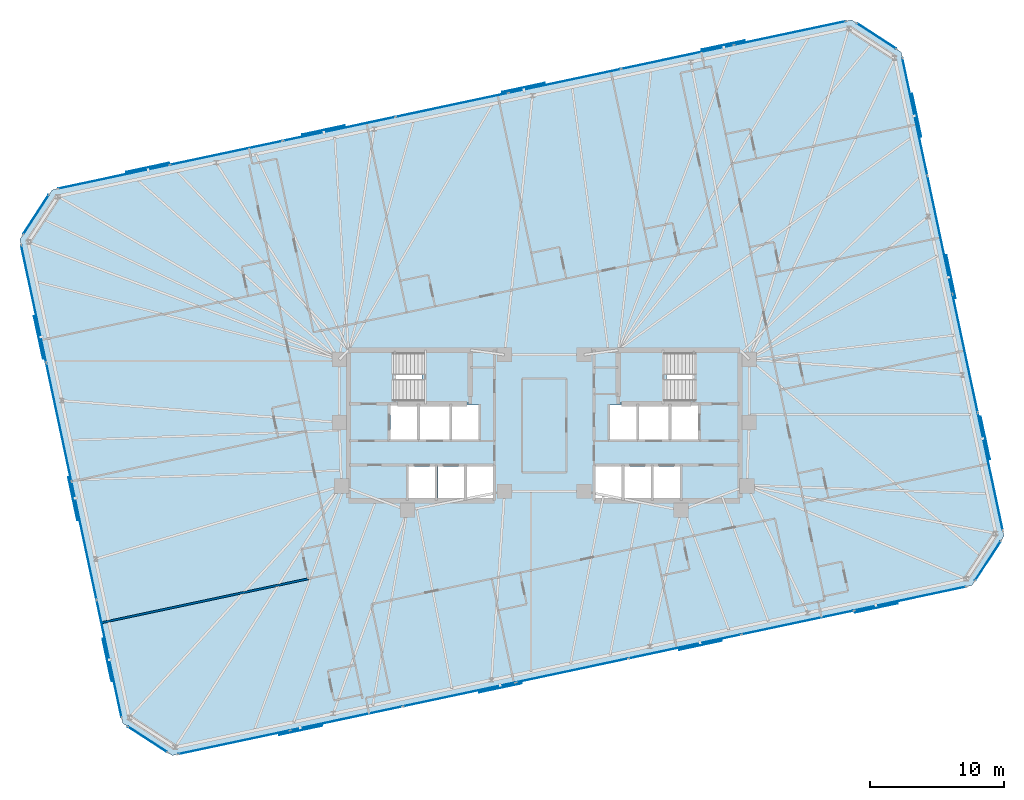
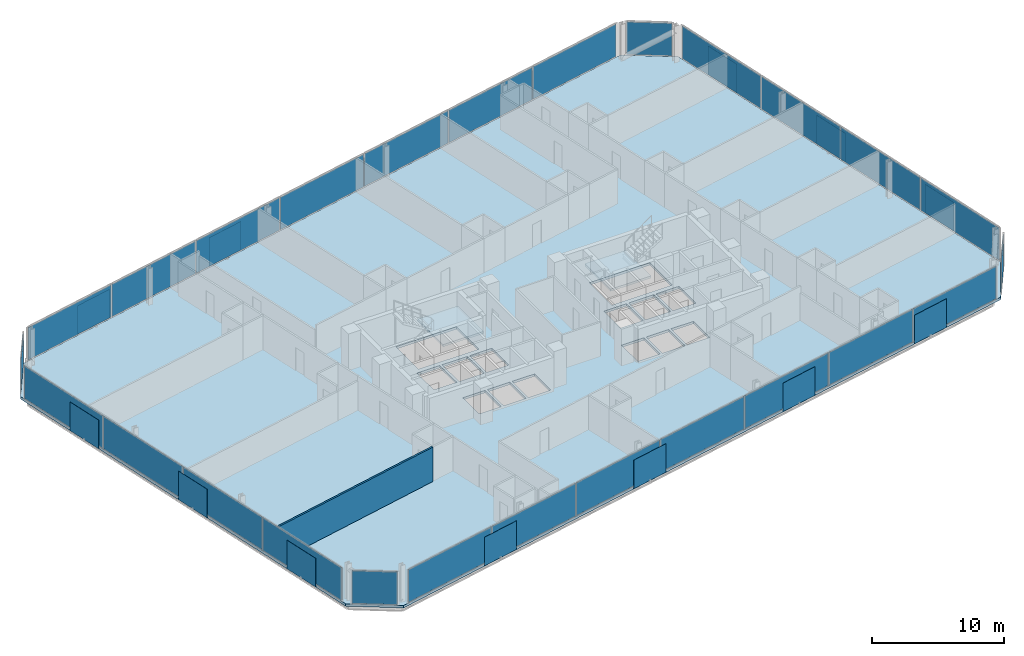
# One storey, part 13 of 19: 40 plates, 3 slabs, 1 wall, 10 elements without a shape of their own.
"""IFC4 building model written with IfcOpenShell, lengths in metres."""

from ifc_helpers import new_model, si_unit, direction, frame, frame_2d, origin, origin_2d, place, context, subcontext, project, spatial, polyline, rectangle, outline, extrude, material, layer, layer_set, type_object, element, aggregate, save


model = new_model("IFC4")

# Units and contexts
model_context = context("Model", 3, precision=1e-05, world=origin(), true_north=direction((0.0, 1.0)))
body_context = subcontext(model_context, "Body", "Model", "MODEL_VIEW")
ifc_project = project(units=[si_unit("LENGTHUNIT", "METRE"), si_unit("AREAUNIT", "SQUARE_METRE"), si_unit("VOLUMEUNIT", "CUBIC_METRE"), si_unit("PLANEANGLEUNIT", "RADIAN"), si_unit("MASSUNIT", "GRAM", prefix="KILO")], contexts=[model_context])

# Site, building, storey
site_placement = place(None, origin())
site = spatial("IfcSite", under=ifc_project, at=site_placement, CompositionType="ELEMENT")
building_placement = place(site_placement, origin())
building = spatial("IfcBuilding", under=site, at=building_placement, Name="Menara Jurai Vektor", CompositionType="ELEMENT")
storey_placement = place(building_placement, frame((0.0, 0.0, 195.60009765625)))
storey = spatial("IfcBuildingStorey", under=building, at=storey_placement, Name="L51", CompositionType="ELEMENT", Elevation=195.60009765625)

# Curtain wall, plates
ifc_material_1 = material(Name="Anodised Pale Aluminium & Low-E Double Glazing", Category="aluminium")
curtain_wall_type = type_object("IfcCurtainWallType", Name="CW-BLK3", PredefinedType="NOTDEFINED", material=ifc_material_1)
curtain_wall_1_placement = place(storey_placement, origin())
curtain_wall_1 = element("IfcCurtainWall", 1, at=curtain_wall_1_placement, inside=storey, type_object=curtain_wall_type, Name="Unitised Curtain Wall L51 F01", PredefinedType="NOTDEFINED")
ifc_material_2 = material(Name="Low-E Solar-Control Double Glazed Unit", Category="glass")
ifc_layer_1 = layer(ifc_material_2, 0.031982421875)
ifc_layer_set_1 = layer_set([ifc_layer_1], Name="Low-E Solar-Control Double Glazed Unit")
plate_type_1 = type_object("IfcPlateType", Name="CW-BLK3-PNL", PredefinedType="CURTAIN_PANEL", material=ifc_layer_set_1)
plate_1_placement = place(storey_placement, frame((-23.078369140625, -23.57568359375, 0.0849609375), z_axis=(0.0, 0.0, 1.0), x_axis=(0.978147674419, 0.207911344156, 0.0)))
plate_1 = element("IfcPlate", 2, at=plate_1_placement, type_object=plate_type_1, Name="CW-03 panel 1.1", PredefinedType="CURTAIN_PANEL", context=body_context, shape_type="SweptSolid", body=[
    extrude(rectangle(XDim=8.44970703125, YDim=0.031982421875, at=origin_2d()), origin(), (0.0, 0.0, 1.0), 3.0048828125),
])
plate_2_placement = place(storey_placement, frame((-14.709228515625, -21.796875, 0.0849609375), z_axis=(0.0, 0.0, 1.0), x_axis=(0.978147674419, 0.207911344156, 0.0)))
plate_2 = element("IfcPlate", 3, at=plate_2_placement, type_object=plate_type_1, Name="CW-03 panel 2.1", PredefinedType="CURTAIN_PANEL", context=body_context, shape_type="SweptSolid", body=[
    extrude(rectangle(XDim=8.4921875, YDim=0.031982421875, at=origin_2d()), origin(), (0.0, 0.0, 1.0), 3.0048828125),
])
plate_3_placement = place(storey_placement, frame((-6.319580078125, -20.013427734375, 0.0849609375), z_axis=(0.0, 0.0, 1.0), x_axis=(0.978147674419, 0.207911344156, 0.0)))
plate_3 = element("IfcPlate", 4, at=plate_3_placement, type_object=plate_type_1, Name="CW-03 panel 3.1", PredefinedType="CURTAIN_PANEL", context=body_context, shape_type="SweptSolid", body=[
    extrude(rectangle(XDim=8.4921875, YDim=0.031982421875, at=origin_2d()), origin(), (0.0, 0.0, 1.0), 3.0048828125),
])
plate_4_placement = place(storey_placement, frame((2.070068359375, -18.230224609375, 0.0849609375), z_axis=(0.0, 0.0, 1.0), x_axis=(0.978147674419, 0.207911344156, 0.0)))
plate_4 = element("IfcPlate", 5, at=plate_4_placement, type_object=plate_type_1, Name="CW-03 panel 4.1", PredefinedType="CURTAIN_PANEL", context=body_context, shape_type="SweptSolid", body=[
    extrude(rectangle(XDim=8.4921875, YDim=0.031982421875, at=origin_2d()), origin(), (0.0, 0.0, 1.0), 3.0048828125),
])
plate_5_placement = place(storey_placement, frame((10.459716796875, -16.447021484375, 0.0849609375), z_axis=(0.0, 0.0, 1.0), x_axis=(0.978147674419, 0.207911344156, 0.0)))
plate_5 = element("IfcPlate", 6, at=plate_5_placement, type_object=plate_type_1, Name="CW-03 panel 5.1", PredefinedType="CURTAIN_PANEL", context=body_context, shape_type="SweptSolid", body=[
    extrude(rectangle(XDim=8.4921875, YDim=0.031982421875, at=origin_2d()), origin(), (0.0, 0.0, 1.0), 3.0048828125),
])
plate_6_placement = place(storey_placement, frame((18.849609375, -14.66357421875, 0.0849609375), z_axis=(0.0, 0.0, 1.0), x_axis=(0.978147674419, 0.207911344156, 0.0)))
plate_6 = element("IfcPlate", 7, at=plate_6_placement, type_object=plate_type_1, Name="CW-03 panel 6.1", PredefinedType="CURTAIN_PANEL", context=body_context, shape_type="SweptSolid", body=[
    extrude(rectangle(XDim=8.4921875, YDim=0.031982421875, at=origin_2d()), origin(), (0.0, 0.0, 1.0), 3.0048828125),
])
plate_7_placement = place(storey_placement, frame((27.218505859375, -12.884765625, 0.0849609375), z_axis=(0.0, 0.0, 1.0), x_axis=(0.978147674419, 0.207911344156, 0.0)))
plate_7 = element("IfcPlate", 8, at=plate_7_placement, type_object=plate_type_1, Name="CW-03 panel 7.1", PredefinedType="CURTAIN_PANEL", context=body_context, shape_type="SweptSolid", body=[
    extrude(rectangle(XDim=8.44970703125, YDim=0.031982421875, at=origin_2d()), origin(), (0.0, 0.0, 1.0), 3.0048828125),
])
aggregate(curtain_wall_1, [plate_1, plate_2, plate_3, plate_4, plate_5, plate_6, plate_7])

curtain_wall_2_placement = place(storey_placement, origin())
curtain_wall_2 = element("IfcCurtainWall", 9, at=curtain_wall_2_placement, inside=storey, type_object=curtain_wall_type, Name="Unitised Curtain Wall L51 F03", PredefinedType="NOTDEFINED")
plate_8_placement = place(storey_placement, frame((33.17333984375, -3.433837890625, 0.0849609375), z_axis=(0.0, 0.0, 1.0), x_axis=(-0.20791035839, 0.978147883949, 0.0)))
plate_8 = element("IfcPlate", 10, at=plate_8_placement, type_object=plate_type_1, Name="CW-03 panel 1.1", PredefinedType="CURTAIN_PANEL", context=body_context, shape_type="SweptSolid", body=[
    extrude(rectangle(XDim=8.882568359375, YDim=0.031982421875, at=origin_2d()), origin(), (0.0, 0.0, 1.0), 3.0048828125),
])
plate_9_placement = place(storey_placement, frame((31.3046875, 5.3583984375, 0.0849609375), z_axis=(0.0, 0.0, 1.0), x_axis=(-0.20791035839, 0.978147883949, 0.0)))
plate_9 = element("IfcPlate", 11, at=plate_9_placement, type_object=plate_type_1, Name="CW-03 panel 2.1", PredefinedType="CURTAIN_PANEL", context=body_context, shape_type="SweptSolid", body=[
    extrude(rectangle(XDim=8.925048828125, YDim=0.031982421875, at=origin_2d()), origin(), (0.0, 0.0, 1.0), 3.0048828125),
])
plate_10_placement = place(storey_placement, frame((29.431396484375, 14.171630859375, 0.0849609375), z_axis=(0.0, 0.0, 1.0), x_axis=(-0.20791035839, 0.978147883949, 0.0)))
plate_10 = element("IfcPlate", 12, at=plate_10_placement, type_object=plate_type_1, Name="CW-03 panel 3.1", PredefinedType="CURTAIN_PANEL", context=body_context, shape_type="SweptSolid", body=[
    extrude(rectangle(XDim=8.925048828125, YDim=0.031982421875, at=origin_2d()), origin(), (0.0, 0.0, 1.0), 3.0048828125),
])
plate_11_placement = place(storey_placement, frame((27.5625, 22.9638671875, 0.0849609375), z_axis=(0.0, 0.0, 1.0), x_axis=(-0.20791035839, 0.978147883949, 0.0)))
plate_11 = element("IfcPlate", 13, at=plate_11_placement, type_object=plate_type_1, Name="CW-03 panel 4.1", PredefinedType="CURTAIN_PANEL", context=body_context, shape_type="SweptSolid", body=[
    extrude(rectangle(XDim=8.882568359375, YDim=0.031982421875, at=origin_2d()), origin(), (0.0, 0.0, 1.0), 3.0048828125),
])
aggregate(curtain_wall_2, [plate_8, plate_9, plate_10, plate_11])

curtain_wall_3_placement = place(storey_placement, origin())
curtain_wall_3 = element("IfcCurtainWall", 14, at=curtain_wall_3_placement, inside=storey, type_object=curtain_wall_type, Name="Unitised Curtain Wall L51 F05", PredefinedType="NOTDEFINED")
plate_12_placement = place(storey_placement, frame((18.2783203125, 29.175537109375, 0.0849609375), z_axis=(0.0, 0.0, 1.0), x_axis=(-0.978147674419, -0.207911344156, 0.0)))
plate_12 = element("IfcPlate", 15, at=plate_12_placement, type_object=plate_type_1, Name="CW-03 panel 1.1", PredefinedType="CURTAIN_PANEL", context=body_context, shape_type="SweptSolid", body=[
    extrude(rectangle(XDim=8.44970703125, YDim=0.031982421875, at=origin_2d()), origin(), (0.0, 0.0, 1.0), 3.0048828125),
])
plate_13_placement = place(storey_placement, frame((9.909423828125, 27.396728515625, 0.0849609375), z_axis=(0.0, 0.0, 1.0), x_axis=(-0.978147674419, -0.207911344156, 0.0)))
plate_13 = element("IfcPlate", 16, at=plate_13_placement, type_object=plate_type_1, Name="CW-03 panel 2.1", PredefinedType="CURTAIN_PANEL", context=body_context, shape_type="SweptSolid", body=[
    extrude(rectangle(XDim=8.4921875, YDim=0.031982421875, at=origin_2d()), origin(), (0.0, 0.0, 1.0), 3.0048828125),
])
plate_14_placement = place(storey_placement, frame((1.51953125, 25.613525390625, 0.0849609375), z_axis=(0.0, 0.0, 1.0), x_axis=(-0.978147674419, -0.207911344156, 0.0)))
plate_14 = element("IfcPlate", 17, at=plate_14_placement, type_object=plate_type_1, Name="CW-03 panel 3.1", PredefinedType="CURTAIN_PANEL", context=body_context, shape_type="SweptSolid", body=[
    extrude(rectangle(XDim=8.4921875, YDim=0.031982421875, at=origin_2d()), origin(), (0.0, 0.0, 1.0), 3.0048828125),
])
plate_15_placement = place(storey_placement, frame((-6.8701171875, 23.830078125, 0.0849609375), z_axis=(0.0, 0.0, 1.0), x_axis=(-0.978147674419, -0.207911344156, 0.0)))
plate_15 = element("IfcPlate", 18, at=plate_15_placement, type_object=plate_type_1, Name="CW-03 panel 4.1", PredefinedType="CURTAIN_PANEL", context=body_context, shape_type="SweptSolid", body=[
    extrude(rectangle(XDim=8.4921875, YDim=0.031982421875, at=origin_2d()), origin(), (0.0, 0.0, 1.0), 3.0048828125),
])
plate_16_placement = place(storey_placement, frame((-15.259765625, 22.046875, 0.0849609375), z_axis=(0.0, 0.0, 1.0), x_axis=(-0.978147674419, -0.207911344156, 0.0)))
plate_16 = element("IfcPlate", 19, at=plate_16_placement, type_object=plate_type_1, Name="CW-03 panel 5.1", PredefinedType="CURTAIN_PANEL", context=body_context, shape_type="SweptSolid", body=[
    extrude(rectangle(XDim=8.4921875, YDim=0.031982421875, at=origin_2d()), origin(), (0.0, 0.0, 1.0), 3.0048828125),
])
plate_17_placement = place(storey_placement, frame((-23.6494140625, 20.263671875, 0.0849609375), z_axis=(0.0, 0.0, 1.0), x_axis=(-0.978147674419, -0.207911344156, 0.0)))
plate_17 = element("IfcPlate", 20, at=plate_17_placement, type_object=plate_type_1, Name="CW-03 panel 6.1", PredefinedType="CURTAIN_PANEL", context=body_context, shape_type="SweptSolid", body=[
    extrude(rectangle(XDim=8.4921875, YDim=0.031982421875, at=origin_2d()), origin(), (0.0, 0.0, 1.0), 3.0048828125),
])
plate_18_placement = place(storey_placement, frame((-32.0185546875, 18.48486328125, 0.0849609375), z_axis=(0.0, 0.0, 1.0), x_axis=(-0.978147674419, -0.207911344156, 0.0)))
plate_18 = element("IfcPlate", 21, at=plate_18_placement, type_object=plate_type_1, Name="CW-03 panel 7.1", PredefinedType="CURTAIN_PANEL", context=body_context, shape_type="SweptSolid", body=[
    extrude(rectangle(XDim=8.44970703125, YDim=0.031982421875, at=origin_2d()), origin(), (0.0, 0.0, 1.0), 3.0048828125),
])
aggregate(curtain_wall_3, [plate_12, plate_13, plate_14, plate_15, plate_16, plate_17, plate_18])

curtain_wall_4_placement = place(storey_placement, origin())
curtain_wall_4 = element("IfcCurtainWall", 22, at=curtain_wall_4_placement, inside=storey, type_object=curtain_wall_type, Name="Unitised Curtain Wall L51 F07", PredefinedType="NOTDEFINED")
plate_19_placement = place(storey_placement, frame((-37.973388671875, 9.033935546875, 0.0849609375), z_axis=(0.0, 0.0, 1.0), x_axis=(0.20791035839, -0.978147883949, 0.0)))
plate_19 = element("IfcPlate", 23, at=plate_19_placement, type_object=plate_type_1, Name="CW-03 panel 1.1", PredefinedType="CURTAIN_PANEL", context=body_context, shape_type="SweptSolid", body=[
    extrude(rectangle(XDim=8.882568359375, YDim=0.031982421875, at=origin_2d()), origin(), (0.0, 0.0, 1.0), 3.0048828125),
])
plate_20_placement = place(storey_placement, frame((-36.1044921875, 0.241455078125, 0.0849609375), z_axis=(0.0, 0.0, 1.0), x_axis=(0.20791035839, -0.978147883949, 0.0)))
plate_20 = element("IfcPlate", 24, at=plate_20_placement, type_object=plate_type_1, Name="CW-03 panel 2.1", PredefinedType="CURTAIN_PANEL", context=body_context, shape_type="SweptSolid", body=[
    extrude(rectangle(XDim=8.925048828125, YDim=0.031982421875, at=origin_2d()), origin(), (0.0, 0.0, 1.0), 3.0048828125),
])
plate_21_placement = place(storey_placement, frame((-34.231201171875, -8.571533203125, 0.0849609375), z_axis=(0.0, 0.0, 1.0), x_axis=(0.20791035839, -0.978147883949, 0.0)))
plate_21 = element("IfcPlate", 25, at=plate_21_placement, type_object=plate_type_1, Name="CW-03 panel 3.1", PredefinedType="CURTAIN_PANEL", context=body_context, shape_type="SweptSolid", body=[
    extrude(rectangle(XDim=8.925048828125, YDim=0.031982421875, at=origin_2d()), origin(), (0.0, 0.0, 1.0), 3.0048828125),
])
plate_22_placement = place(storey_placement, frame((-32.362548828125, -17.364013671875, 0.0849609375), z_axis=(0.0, 0.0, 1.0), x_axis=(0.20791035839, -0.978147883949, 0.0)))
plate_22 = element("IfcPlate", 26, at=plate_22_placement, type_object=plate_type_1, Name="CW-03 panel 4.1", PredefinedType="CURTAIN_PANEL", context=body_context, shape_type="SweptSolid", body=[
    extrude(rectangle(XDim=8.882568359375, YDim=0.031982421875, at=origin_2d()), origin(), (0.0, 0.0, 1.0), 3.0048828125),
])
aggregate(curtain_wall_4, [plate_19, plate_20, plate_21, plate_22])

# Curtain wall, plate
curtain_wall_5_placement = place(storey_placement, origin())
curtain_wall_5 = element("IfcCurtainWall", 27, at=curtain_wall_5_placement, inside=storey, type_object=curtain_wall_type, Name="Unitised Curtain Wall L51 F02", PredefinedType="NOTDEFINED")
ifc_material_3 = material(Name="Insulated Pale Aluminium Spandrel Panel", Category="aluminium")
ifc_layer_2 = layer(ifc_material_3, 0.06005859375)
ifc_layer_set_2 = layer_set([ifc_layer_2], Name="Insulated Pale Aluminium Spandrel Panel")
plate_type_2 = type_object("IfcPlateType", Name="CW-PNL-SP", PredefinedType="CURTAIN_PANEL", material=ifc_layer_set_2)
plate_23_placement = place(storey_placement, frame((32.999755859375, -10.0712890625, 0.0849609375), z_axis=(0.0, 0.0, 1.0), x_axis=(0.544617794346, 0.838684361415, 0.0)))
plate_23 = element("IfcPlate", 28, at=plate_23_placement, type_object=plate_type_2, Name="CW-03 panel 1.1", PredefinedType="CURTAIN_PANEL", context=body_context, shape_type="SweptSolid", body=[
    extrude(rectangle(XDim=3.4541015625, YDim=0.06005859375, at=origin_2d()), origin(), (0.0, 0.0, 1.0), 3.0048828125),
])
aggregate(curtain_wall_5, [plate_23])

curtain_wall_6_placement = place(storey_placement, origin())
curtain_wall_6 = element("IfcCurtainWall", 29, at=curtain_wall_6_placement, inside=storey, type_object=curtain_wall_type, Name="Unitised Curtain Wall L51 F04", PredefinedType="NOTDEFINED")
plate_24_placement = place(storey_placement, frame((24.7041015625, 28.956787109375, 0.0849609375), z_axis=(0.0, 0.0, 1.0), x_axis=(-0.838684361415, 0.544617794346, 0.0)))
plate_24 = element("IfcPlate", 30, at=plate_24_placement, type_object=plate_type_2, Name="CW-03 panel 1.1", PredefinedType="CURTAIN_PANEL", context=body_context, shape_type="SweptSolid", body=[
    extrude(rectangle(XDim=3.4541015625, YDim=0.06005859375, at=origin_2d()), origin(), (0.0, 0.0, 1.0), 3.0048828125),
])
aggregate(curtain_wall_6, [plate_24])

curtain_wall_7_placement = place(storey_placement, origin())
curtain_wall_7 = element("IfcCurtainWall", 31, at=curtain_wall_7_placement, inside=storey, type_object=curtain_wall_type, Name="Unitised Curtain Wall L51 F06", PredefinedType="NOTDEFINED")
plate_25_placement = place(storey_placement, frame((-37.799560546875, 15.67138671875, 0.0849609375), z_axis=(0.0, 0.0, 1.0), x_axis=(-0.544617794346, -0.838684361415, 0.0)))
plate_25 = element("IfcPlate", 32, at=plate_25_placement, type_object=plate_type_2, Name="CW-03 panel 1.1", PredefinedType="CURTAIN_PANEL", context=body_context, shape_type="SweptSolid", body=[
    extrude(rectangle(XDim=3.4541015625, YDim=0.06005859375, at=origin_2d()), origin(), (0.0, 0.0, 1.0), 3.0048828125),
])
aggregate(curtain_wall_7, [plate_25])

curtain_wall_8_placement = place(storey_placement, origin())
curtain_wall_8 = element("IfcCurtainWall", 33, at=curtain_wall_8_placement, inside=storey, type_object=curtain_wall_type, Name="Unitised Curtain Wall L51 F08", PredefinedType="NOTDEFINED")
plate_26_placement = place(storey_placement, frame((-29.50390625, -23.35693359375, 0.0849609375), z_axis=(0.0, 0.0, 1.0), x_axis=(0.838684361415, -0.544617794346, 0.0)))
plate_26 = element("IfcPlate", 34, at=plate_26_placement, type_object=plate_type_2, Name="CW-03 panel 1.1", PredefinedType="CURTAIN_PANEL", context=body_context, shape_type="SweptSolid", body=[
    extrude(rectangle(XDim=3.4541015625, YDim=0.06005859375, at=origin_2d()), origin(), (0.0, 0.0, 1.0), 3.0048828125),
])
aggregate(curtain_wall_8, [plate_26])

# Plates
ifc_material_4 = material(Name="Anodised Pale Aluminium Perforated Screen", Category="aluminium")
ifc_layer_3 = layer(ifc_material_4, 0.02294921875)
ifc_layer_set_3 = layer_set([ifc_layer_3], Name="Anodised Pale Aluminium Perforated Screen")
plate_type_3 = type_object("IfcPlateType", Name="ENV-PLT-SCREEN-MID", PredefinedType="USERDEFINED", material=ifc_layer_set_3)
for number, where, z_axis, x_axis, name in (
    (35, (-18.116943359375, -22.6845703125, -0.050048828125), (0.0, 0.0, 1.0), (0.978147600734, 0.207911690818, 0.0), "Perforated Pale-Metal Solar Screen L51-S01"),
    (36, (-3.2490234375, -19.5244140625, -0.050048828125), (0.0, 0.0, 1.0), (0.978147600734, 0.207911690818, 0.0), "Perforated Pale-Metal Solar Screen L51-S02"),
    (37, (11.618896484375, -16.364013671875, -0.050048828125), (0.0, 0.0, 1.0), (0.978147600734, 0.207911690818, 0.0), "Perforated Pale-Metal Solar Screen L51-S03"),
    (38, (24.702392578125, -13.5830078125, -0.050048828125), (0.0, 0.0, 1.0), (0.978147600734, 0.207911690818, 0.0), "Perforated Pale-Metal Solar Screen L51-S04"),
    (39, (32.806884765625, -0.9404296875, -0.050048828125), (0.0, 0.0, 1.0), (-0.207911690818, 0.978147600734, 0.0), "Perforated Pale-Metal Solar Screen L51-S05"),
    (40, (30.256591796875, 11.05810546875, -0.050048828125), (0.0, 0.0, 1.0), (-0.207911690818, 0.978147600734, 0.0), "Perforated Pale-Metal Solar Screen L51-S06"),
    (41, (27.706298828125, 23.056884765625, -0.050048828125), (0.0, 0.0, 1.0), (-0.207911690818, 0.978147600734, 0.0), "Perforated Pale-Metal Solar Screen L51-S07"),
    (42, (13.31689453125, 28.28466796875, -0.050048828125), (0.0, 0.0, 1.0), (-0.978147600734, -0.207911690818, 0.0), "Perforated Pale-Metal Solar Screen L51-S08"),
    (43, (-1.55078125, 25.12451171875, -0.050048828125), (0.0, 0.0, 1.0), (-0.978147600734, -0.207911690818, 0.0), "Perforated Pale-Metal Solar Screen L51-S09"),
    (44, (-16.418701171875, 21.964111328125, -0.050048828125), (0.0, 0.0, 1.0), (-0.978147600734, -0.207911690818, 0.0), "Perforated Pale-Metal Solar Screen L51-S10"),
    (45, (-29.50244140625, 19.18310546875, -0.050048828125), (0.0, 0.0, 1.0), (-0.978147600734, -0.207911690818, 0.0), "Perforated Pale-Metal Solar Screen L51-S11"),
    (46, (-37.60693359375, 6.54052734375, -0.050048828125), (0.0, 0.0, 1.0), (0.207911690818, -0.978147600734, 0.0), "Perforated Pale-Metal Solar Screen L51-S12"),
    (47, (-35.056640625, -5.458251953125, -0.050048828125), (0.0, 0.0, 1.0), (0.207911690818, -0.978147600734, 0.0), "Perforated Pale-Metal Solar Screen L51-S13"),
    (48, (-32.50634765625, -17.456787109375, -0.050048828125), (0.0, 0.0, 1.0), (0.207911690818, -0.978147600734, 0.0), "Perforated Pale-Metal Solar Screen L51-S14"),
):
    element("IfcPlate", number, at=place(storey_placement, frame(where, z_axis=z_axis, x_axis=x_axis)), inside=storey, type_object=plate_type_3, Name=name, ObjectType="SCREEN", PredefinedType="USERDEFINED", context=body_context, shape_type="SweptSolid", body=[
        extrude(rectangle(XDim=3.25, YDim=0.02294921875, at=origin_2d()), origin(), (0.0, 0.0, 1.0), 2.64990234375),
    ])

# Stair, slab
ifc_material_5 = material(Name="Concrete C40/50", Category="concrete")
stair_type = type_object("IfcStairType", Name="STAIR-DOGLEG-1500", PredefinedType="HALF_TURN_STAIR", material=ifc_material_5)
stair_1_placement = place(storey_placement, origin())
stair_1 = element("IfcStair", 49, at=stair_1_placement, inside=storey, type_object=stair_type, Name="Protected Exit Stair ST1 L51", PredefinedType="HALF_TURN_STAIR")
ifc_layer_4 = layer(ifc_material_5, 0.199951171875)
ifc_layer_set_4 = layer_set([ifc_layer_4], Name="Concrete C40/50")
slab_type_1 = type_object("IfcSlabType", Name="STAIR-LANDING-200", PredefinedType="LANDING", material=ifc_layer_set_4)
slab_1_placement = place(storey_placement, frame((0.0, 0.0, 1.5)))
slab_1 = element("IfcSlab", 50, at=slab_1_placement, type_object=slab_type_1, Name="ST1 landing 1", PredefinedType="LANDING", context=body_context, shape_type="SweptSolid", body=[
    extrude(outline(polyline([(-9.080078125, 1.64990234375), (-5.550048828125, 1.64990234375), (-5.550048828125, 5.550048828125), (-9.080078125, 5.550048828125), (-9.080078125, 1.64990234375)])), origin(), (0.0, 0.0, 1.0), 0.199951171875),
])
aggregate(stair_1, [slab_1])

stair_2_placement = place(storey_placement, origin())
stair_2 = element("IfcStair", 51, at=stair_2_placement, inside=storey, type_object=stair_type, Name="Protected Exit Stair ST2 L51", PredefinedType="HALF_TURN_STAIR")
slab_2_placement = place(storey_placement, frame((0.0, 0.0, 1.5)))
slab_2 = element("IfcSlab", 52, at=slab_2_placement, type_object=slab_type_1, Name="ST2 landing 1", PredefinedType="LANDING", context=body_context, shape_type="SweptSolid", body=[
    extrude(outline(polyline([(5.550048828125, 1.64990234375), (9.080078125, 1.64990234375), (9.080078125, 5.550048828125), (5.550048828125, 5.550048828125), (5.550048828125, 1.64990234375)])), origin(), (0.0, 0.0, 1.0), 0.199951171875),
])
aggregate(stair_2, [slab_2])

# Slab
ifc_layer_5 = layer(ifc_material_5, 0.22509765625)
ifc_layer_set_5 = layer_set([ifc_layer_5], Name="Concrete C40/50")
slab_type_2 = type_object("IfcSlabType", Name="STR-SLAB-TYP200", PredefinedType="FLOOR", material=ifc_layer_set_5)
slab_3_placement = place(storey_placement, frame((0.0, 0.0, -0.22509765625)))
element("IfcSlab", 53, at=slab_3_placement, inside=storey, type_object=slab_type_2, Name="Composite Floor Slab L51", PredefinedType="FLOOR", context=body_context, shape_type="SweptSolid", body=[
    extrude(outline(polyline([(-27.66552734375, -24.55078125), (31.805908203125, -11.90966796875), (34.193603515625, -8.23291015625), (26.54248046875, 27.762939453125), (22.865478515625, 30.150634765625), (-36.605712890625, 17.509765625), (-38.993408203125, 13.8330078125), (-31.34228515625, -22.1630859375), (-27.66552734375, -24.55078125)]), holes=[polyline([(-11.10009765625, 1.89990234375), (-11.10009765625, 5.300048828125), (-5.800048828125, 5.300048828125), (-5.800048828125, 1.89990234375), (-11.10009765625, 1.89990234375)]), polyline([(5.800048828125, 1.89990234375), (5.800048828125, 5.300048828125), (11.10009765625, 5.300048828125), (11.10009765625, 1.89990234375), (5.800048828125, 1.89990234375)]), polyline([(-11.449951171875, -1.050048828125), (-11.449951171875, 1.5), (-9.449951171875, 1.5), (-9.449951171875, -1.050048828125), (-11.449951171875, -1.050048828125)]), polyline([(9.449951171875, -1.050048828125), (9.449951171875, 1.5), (11.449951171875, 1.5), (11.449951171875, -1.050048828125), (9.449951171875, -1.050048828125)]), polyline([(-5.760009765625, -5.5), (-5.760009765625, -3.050048828125), (-3.800048828125, -3.050048828125), (-3.800048828125, -5.5), (-5.760009765625, -5.5)]), polyline([(-6.85009765625, -1.050048828125), (-6.85009765625, 1.5), (-4.889892578125, 1.5), (-4.889892578125, -1.050048828125), (-6.85009765625, -1.050048828125)]), polyline([(3.800048828125, -5.5), (3.800048828125, -3.050048828125), (5.760009765625, -3.050048828125), (5.760009765625, -5.5), (3.800048828125, -5.5)]), polyline([(4.889892578125, -1.050048828125), (4.889892578125, 1.5), (6.85009765625, 1.5), (6.85009765625, -1.050048828125), (4.889892578125, -1.050048828125)]), polyline([(-10.080078125, -5.5), (-10.080078125, -3.050048828125), (-8.1201171875, -3.050048828125), (-8.1201171875, -5.5), (-10.080078125, -5.5)]), polyline([(-7.919921875, -5.5), (-7.919921875, -3.050048828125), (-5.9599609375, -3.050048828125), (-5.9599609375, -5.5), (-7.919921875, -5.5)]), polyline([(5.9599609375, -5.5), (5.9599609375, -3.050048828125), (7.919921875, -3.050048828125), (7.919921875, -5.5), (5.9599609375, -5.5)]), polyline([(8.1201171875, -5.5), (8.1201171875, -3.050048828125), (10.080078125, -3.050048828125), (10.080078125, -5.5), (8.1201171875, -5.5)]), polyline([(-9.25, -1.050048828125), (-9.25, 1.5), (-7.050048828125, 1.5), (-7.050048828125, -1.050048828125), (-9.25, -1.050048828125)]), polyline([(7.050048828125, -1.050048828125), (7.050048828125, 1.5), (9.25, 1.5), (9.25, -1.050048828125), (7.050048828125, -1.050048828125)])]), origin(), (0.0, 0.0, 1.0), 0.22509765625),
])

# Wall
ifc_material_6 = material(Name="Gypsum Fireboard Partition", Category="gypsum")
ifc_layer_6 = layer(ifc_material_6, 0.14990234375)
ifc_layer_set_6 = layer_set([ifc_layer_6], Name="Gypsum Fireboard Partition")
wall_type = type_object("IfcWallType", Name="INT-WALL-CORR-150", PredefinedType="PARTITIONING", material=ifc_layer_set_6)
wall_placement = place(storey_placement, frame((-32.932861328125, -14.68017578125, 0.0), z_axis=(0.0, 0.0, 1.0), x_axis=(0.978146137903, 0.207918572776, 0.0)))
element("IfcWall", 54, at=wall_placement, inside=storey, type_object=wall_type, Name="Interior Wall IW-150 L51", PredefinedType="PARTITIONING", context=body_context, shape_type="SweptSolid", body=[
    extrude(rectangle(XDim=15.718017578125, YDim=0.14990234375, at=frame_2d((7.85888671875, 0.0))), origin(), (0.0, 0.0, 1.0), 3.1748046875),
])

save(model, "model.ifc")
